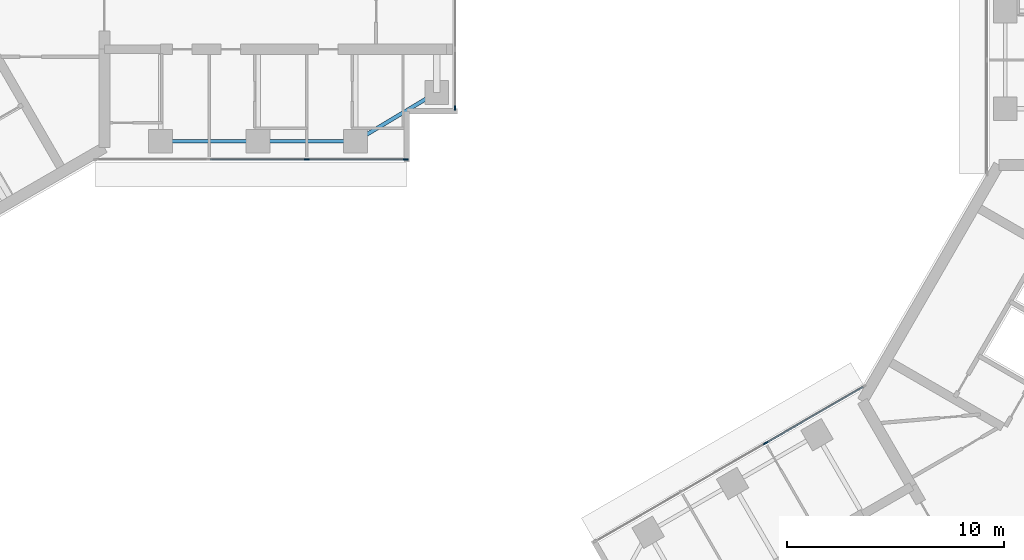
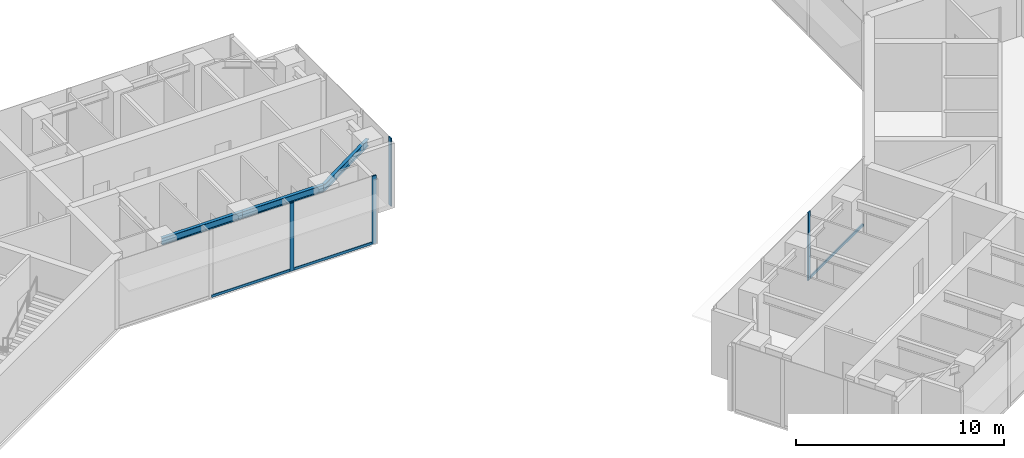
# One storey, part 4 of 17: 7 members, 3 beams, 3 elements without a shape of their own.
"""IFC4 building model written with IfcOpenShell, lengths in metres."""

from ifc_helpers import new_model, si_unit, direction, frame, origin, origin_2d, place, context, subcontext, project, spatial, rectangle, i_section, extrude, material, material_profile, profile_set, type_object, element, aggregate, save


model = new_model("IFC4")

# Units and contexts
model_context = context("Model", 3, precision=1e-05, world=origin(), true_north=direction((0.0, 1.0)))
body_context = subcontext(model_context, "Body", "Model", "MODEL_VIEW")
ifc_project = project(units=[si_unit("LENGTHUNIT", "METRE"), si_unit("AREAUNIT", "SQUARE_METRE"), si_unit("VOLUMEUNIT", "CUBIC_METRE"), si_unit("PLANEANGLEUNIT", "RADIAN"), si_unit("MASSUNIT", "GRAM", prefix="KILO")], contexts=[model_context])

# Site, building, storey
site_placement = place(None, origin())
site = spatial("IfcSite", under=ifc_project, at=site_placement, CompositionType="ELEMENT")
building_placement = place(site_placement, origin())
building = spatial("IfcBuilding", under=site, at=building_placement, Name="Upepo Twin Towers", CompositionType="ELEMENT")
storey_placement = place(building_placement, frame((0.0, 0.0, 230.5)))
storey = spatial("IfcBuildingStorey", under=building, at=storey_placement, Name="L56", CompositionType="ELEMENT", Elevation=230.5)

# Beams
ifc_material_1 = material(Name="Steel S355", Category="steel")
ifc_material_profile_1 = material_profile(ifc_material_1, i_section(OverallWidth=0.177978515625, OverallDepth=0.406494140625, WebThickness=0.0078125, FlangeThickness=0.0126953125, FilletRadius=0.01025390625, at=origin_2d()), Name="UB 406x178x60")
ifc_profile_set_1 = profile_set([ifc_material_profile_1], Name="Steel S355")
beam_type = type_object("IfcBeamType", Name="Beam UB 406x178x60", PredefinedType="BEAM", material=ifc_profile_set_1)
for number, where, z_axis, x_axis, name in (
    (1, (13.5, -6.0, 3.5966796875), (1.0, 0.0, 0.0), (0.0, 1.0, 0.0), "T1 edge beam AR 13.5-18.0"),
    (2, (18.0, -6.0, 3.5966796875), (1.0, 0.0, 0.0), (0.0, 1.0, 0.0), "T1 edge beam AR 18.0-22.5"),
):
    element("IfcBeam", number, at=place(storey_placement, frame(where, z_axis=z_axis, x_axis=x_axis)), inside=storey, type_object=beam_type, Name=name, PredefinedType="BEAM", context=body_context, shape_type="SweptSolid", body=[
        extrude(i_section(OverallWidth=0.177978515625, OverallDepth=0.406494140625, WebThickness=0.0078125, FlangeThickness=0.0126953125, FilletRadius=0.01025390625, at=origin_2d()), origin(), (0.0, 0.0, 1.0), 4.5),
    ])
beam_placement = place(storey_placement, frame((22.5, -6.0, 3.5966796875), z_axis=(0.857492925713, 0.514495755428, 0.0), x_axis=(-0.514495755428, 0.857492925713, 0.0)))
element("IfcBeam", 3, at=beam_placement, inside=storey, type_object=beam_type, Name="T1 nose edge beam AR", PredefinedType="BEAM", context=body_context, shape_type="SweptSolid", body=[
    extrude(i_section(OverallWidth=0.177978515625, OverallDepth=0.406494140625, WebThickness=0.0078125, FlangeThickness=0.0126953125, FilletRadius=0.01025390625, at=origin_2d()), origin(), (0.0, 0.0, 1.0), 4.373291015625),
])

# Curtain wall, members
ifc_material_2 = material(Name="Aluminium and fritted glass", Category="aluminium")
curtain_wall_type = type_object("IfcCurtainWallType", Name="Tower curtain wall TW3, fritted glass", PredefinedType="NOTDEFINED", material=ifc_material_2)
curtain_wall_1_placement = place(storey_placement, origin())
curtain_wall_1 = element("IfcCurtainWall", 4, at=curtain_wall_1_placement, inside=storey, type_object=curtain_wall_type, Name="T1 L56 wing A flank R curtain wall", PredefinedType="NOTDEFINED")
ifc_material_3 = material(Name="Aluminium mullion", Category="aluminium")
ifc_material_profile_2 = material_profile(ifc_material_3, rectangle(XDim=0.06494140625, YDim=0.22509765625, at=origin_2d()), Name="MULLION 65x225")
ifc_profile_set_2 = profile_set([ifc_material_profile_2], Name="Aluminium mullion")
member_type_1 = type_object("IfcMemberType", Name="Mullion 65x225 TW3", PredefinedType="MULLION", material=ifc_profile_set_2)
member_1_placement = place(storey_placement, frame((24.8173828125, -6.85009765625, 0.0), z_axis=(0.0, 0.0, 1.0), x_axis=(0.0, -1.0, 0.0)))
member_1 = element("IfcMember", 5, at=member_1_placement, type_object=member_type_1, Name="T1 L56 wing A flank R curtain wall mullion 1", PredefinedType="MULLION", context=body_context, shape_type="SweptSolid", body=[
    extrude(rectangle(XDim=0.06494140625, YDim=0.22509765625, at=origin_2d()), origin(), (0.0, 0.0, 1.0), 4.0),
])
member_2_placement = place(storey_placement, frame((20.25, -6.85009765625, 0.0), z_axis=(0.0, 0.0, 1.0), x_axis=(0.0, -1.0, 0.0)))
member_2 = element("IfcMember", 6, at=member_2_placement, type_object=member_type_1, Name="T1 L56 wing A flank R curtain wall mullion 2", PredefinedType="MULLION", context=body_context, shape_type="SweptSolid", body=[
    extrude(rectangle(XDim=0.06494140625, YDim=0.22509765625, at=origin_2d()), origin(), (0.0, 0.0, 1.0), 4.0),
])

# Curtain wall, member
curtain_wall_2_placement = place(storey_placement, origin())
curtain_wall_2 = element("IfcCurtainWall", 7, at=curtain_wall_2_placement, inside=storey, type_object=curtain_wall_type, Name="T1 L56 wing A nose curtain wall", PredefinedType="NOTDEFINED")
member_3_placement = place(storey_placement, frame((27.10009765625, -4.467529296875, 0.0), z_axis=(0.0, 0.0, 1.0), x_axis=(-1.0, 0.0, 0.0)))
member_3 = element("IfcMember", 8, at=member_3_placement, type_object=member_type_1, Name="T1 L56 wing A nose curtain wall mullion 1", PredefinedType="MULLION", context=body_context, shape_type="SweptSolid", body=[
    extrude(rectangle(XDim=0.06494140625, YDim=0.22509765625, at=origin_2d()), origin(), (0.0, 0.0, 1.0), 4.0),
])
aggregate(curtain_wall_2, [member_3])

curtain_wall_3_placement = place(storey_placement, origin())
curtain_wall_3 = element("IfcCurtainWall", 9, at=curtain_wall_3_placement, inside=storey, type_object=curtain_wall_type, Name="T2 L56 wing B flank R curtain wall", PredefinedType="NOTDEFINED")
member_4_placement = place(storey_placement, frame((41.43505859375, -19.942626953125, 0.0), z_axis=(0.0, 0.0, 1.0), x_axis=(-0.500000026527, 0.866025388469, 0.0)))
member_4 = element("IfcMember", 10, at=member_4_placement, type_object=member_type_1, Name="T2 L56 wing B flank R curtain wall mullion 3", PredefinedType="MULLION", context=body_context, shape_type="SweptSolid", body=[
    extrude(rectangle(XDim=0.06494140625, YDim=0.22509765625, at=origin_2d()), origin(), (0.0, 0.0, 1.0), 4.0),
])

# Member
ifc_material_4 = material(Name="Aluminium transom", Category="aluminium")
ifc_material_profile_3 = material_profile(ifc_material_4, rectangle(XDim=0.06494140625, YDim=0.14990234375, at=origin_2d()), Name="TRANSOM 65x150")
ifc_profile_set_3 = profile_set([ifc_material_profile_3], Name="Aluminium transom")
member_type_2 = type_object("IfcMemberType", Name="Transom 65x150 TW3", PredefinedType="USERDEFINED", material=ifc_profile_set_3)
member_5_placement = place(storey_placement, frame((24.784912109375, -6.85009765625, 0.074951171875), z_axis=(-1.0, 0.0, 0.0), x_axis=(0.0, -1.0, 0.0)))
member_5 = element("IfcMember", 11, at=member_5_placement, type_object=member_type_2, Name="T1 L56 wing A flank R curtain wall transom 1", ObjectType="TRANSOM", PredefinedType="USERDEFINED", context=body_context, shape_type="SweptSolid", body=[
    extrude(rectangle(XDim=0.06494140625, YDim=0.14990234375, at=origin_2d()), origin(), (0.0, 0.0, 1.0), 4.50244140625),
])

member_6_placement = place(storey_placement, frame((20.217529296875, -6.85009765625, 0.074951171875), z_axis=(-1.0, 0.0, 0.0), x_axis=(0.0, -1.0, 0.0)))
member_6 = element("IfcMember", 12, at=member_6_placement, type_object=member_type_2, Name="T1 L56 wing A flank R curtain wall transom 2", ObjectType="TRANSOM", PredefinedType="USERDEFINED", context=body_context, shape_type="SweptSolid", body=[
    extrude(rectangle(XDim=0.06494140625, YDim=0.14990234375, at=origin_2d()), origin(), (0.0, 0.0, 1.0), 4.43505859375),
])

aggregate(curtain_wall_1, [member_1, member_2, member_5, member_6])

member_7_placement = place(storey_placement, frame((41.463134765625, -19.926513671875, 0.074951171875), z_axis=(0.86602108507, 0.500007480159, 0.0), x_axis=(-0.500007480159, 0.86602108507, 0.0)))
member_7 = element("IfcMember", 13, at=member_7_placement, type_object=member_type_2, Name="T2 L56 wing B flank R curtain wall transom 3", ObjectType="TRANSOM", PredefinedType="USERDEFINED", context=body_context, shape_type="SweptSolid", body=[
    extrude(rectangle(XDim=0.06494140625, YDim=0.14990234375, at=origin_2d()), origin(), (0.0, 0.0, 1.0), 5.16552734375),
])

aggregate(curtain_wall_3, [member_4, member_7])

save(model, "model.ifc")
